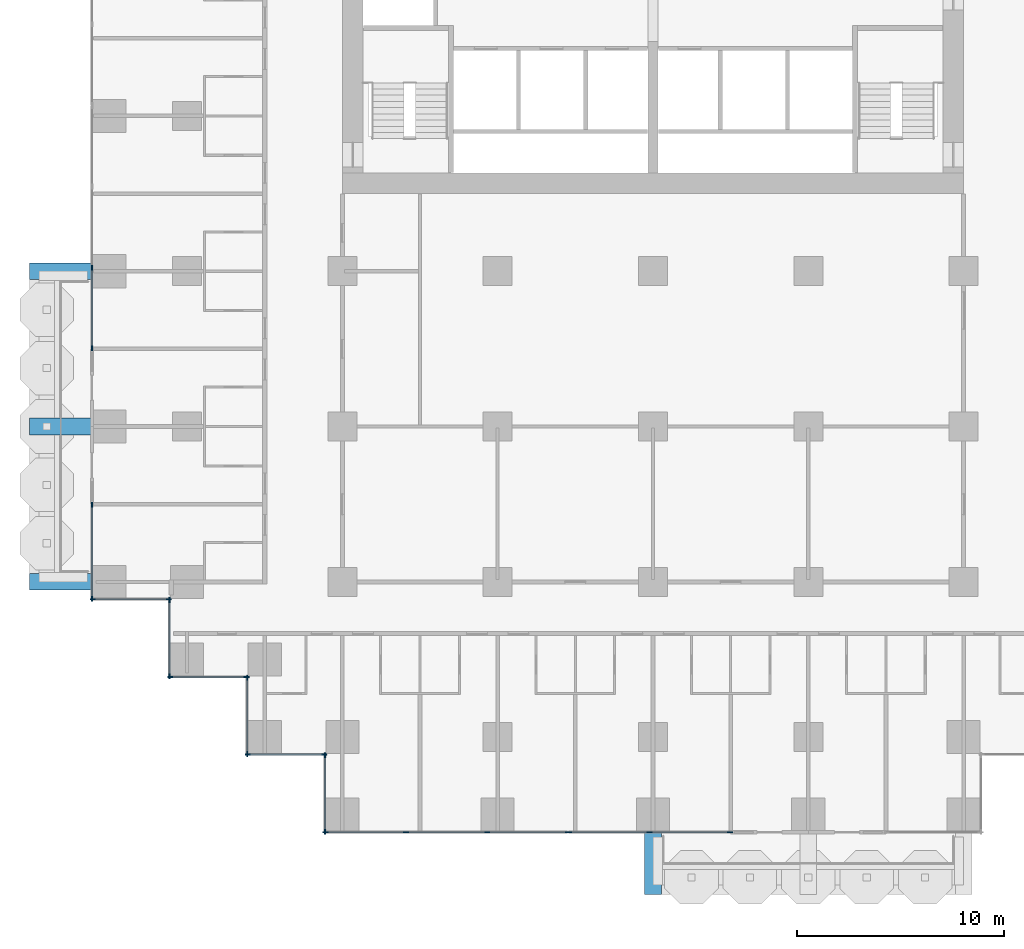
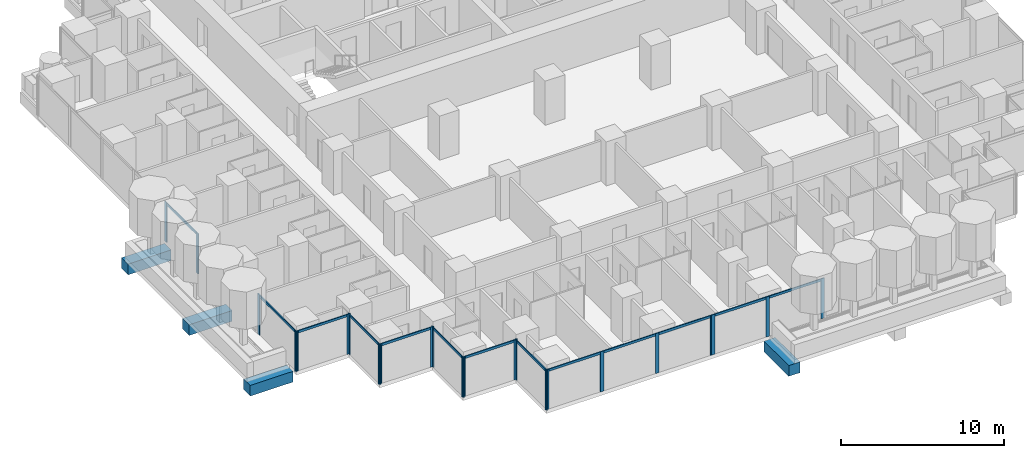
# One storey, part 2 of 19: 36 members, 4 beams, 10 elements without a shape of their own.
"""IFC4 building model written with IfcOpenShell, lengths in metres."""

from ifc_helpers import new_model, si_unit, direction, frame, origin, origin_2d, place, context, subcontext, project, spatial, rectangle, extrude, material, material_profile, profile_set, type_object, element, aggregate, save


model = new_model("IFC4")

# Units and contexts
model_context = context("Model", 3, precision=1e-05, world=origin(), true_north=direction((0.0, 1.0)))
body_context = subcontext(model_context, "Body", "Model", "MODEL_VIEW")
ifc_project = project(units=[si_unit("LENGTHUNIT", "METRE"), si_unit("AREAUNIT", "SQUARE_METRE"), si_unit("VOLUMEUNIT", "CUBIC_METRE"), si_unit("PLANEANGLEUNIT", "RADIAN"), si_unit("MASSUNIT", "GRAM", prefix="KILO")], contexts=[model_context])

# Site, building, storey
site_placement = place(None, origin())
site = spatial("IfcSite", under=ifc_project, at=site_placement, CompositionType="ELEMENT")
building_placement = place(site_placement, origin())
building = spatial("IfcBuilding", under=site, at=building_placement, Name="Pilkhan Gate Tower", CompositionType="ELEMENT")
storey_placement = place(building_placement, frame((0.0, 0.0, 39.5)))
storey = spatial("IfcBuildingStorey", under=building, at=storey_placement, Name="L06", CompositionType="ELEMENT", Elevation=39.5)

# Beams
ifc_material_1 = material(Name="Concrete C50/60", Category="concrete")
ifc_material_profile_1 = material_profile(ifc_material_1, rectangle(XDim=0.800048828125, YDim=0.800048828125, at=origin_2d()), Name="RC 800x800")
ifc_profile_set_1 = profile_set([ifc_material_profile_1], Name="Concrete C50/60")
beam_type = type_object("IfcBeamType", Name="Cantilever beam CB2 RC 800x800 C50/60", PredefinedType="BEAM", material=ifc_profile_set_1)
for number, where, z_axis, x_axis, name in (
    (1, (75.0, 40.449951171875, -0.699951171875), (0.0, -1.0, 0.0), (1.0, 0.0, 0.0), "Balcony beam S.1 L06"),
    (2, (47.949951171875, 52.5, -0.699951171875), (-1.0, 0.0, 0.0), (0.0, -1.0, 0.0), "Balcony beam W.1 L06"),
    (3, (47.949951171875, 60.0, -0.699951171875), (-1.0, 0.0, 0.0), (0.0, -1.0, 0.0), "Balcony beam W.2 L06"),
    (4, (47.949951171875, 67.5, -0.699951171875), (-1.0, 0.0, 0.0), (0.0, -1.0, 0.0), "Balcony beam W.3 L06"),
):
    element("IfcBeam", number, at=place(storey_placement, frame(where, z_axis=z_axis, x_axis=x_axis)), inside=storey, type_object=beam_type, Name=name, PredefinedType="BEAM", context=body_context, shape_type="SweptSolid", body=[
        extrude(rectangle(XDim=0.800048828125, YDim=0.800048828125, at=origin_2d()), origin(), (0.0, 0.0, 1.0), 3.050048828125),
    ])

# Curtain wall, members
ifc_material_2 = material(Name="Pale anodised aluminium, clear low-iron double glazing", Category="aluminium")
curtain_wall_type = type_object("IfcCurtainWallType", Name="Hotel unitised curtain wall CW-H", PredefinedType="USERDEFINED", material=ifc_material_2)
curtain_wall_1_placement = place(storey_placement, origin())
curtain_wall_1 = element("IfcCurtainWall", 5, at=curtain_wall_1_placement, inside=storey, type_object=curtain_wall_type, Name="Hotel unitised curtain wall CW-H L06 W", ObjectType="UNITISED CURTAIN WALL", PredefinedType="USERDEFINED")
ifc_material_3 = material(Name="Pale anodised aluminium", Category="aluminium")
ifc_material_profile_2 = material_profile(ifc_material_3, rectangle(XDim=0.06494140625, YDim=0.25, at=origin_2d()), Name="Mullion 250x65")
ifc_profile_set_2 = profile_set([ifc_material_profile_2], Name="Pale anodised aluminium")
member_type_1 = type_object("IfcMemberType", Name="Mullion CW-H 250x65", PredefinedType="MULLION", material=ifc_profile_set_2)
member_1_placement = place(storey_placement, frame((47.905029296875, 51.6875, 0.0), z_axis=(0.0, 0.0, 1.0), x_axis=(-1.0, 0.0, 0.0)))
member_1 = element("IfcMember", 6, at=member_1_placement, type_object=member_type_1, Name="CW-H mullion 1", PredefinedType="MULLION", context=body_context, shape_type="SweptSolid", body=[
    extrude(rectangle(XDim=0.06494140625, YDim=0.25, at=origin_2d()), origin(), (0.0, 0.0, 1.0), 3.0),
])
member_2_placement = place(storey_placement, frame((47.905029296875, 56.217529296875, 0.0), z_axis=(0.0, 0.0, 1.0), x_axis=(-1.0, 0.0, 0.0)))
member_2 = element("IfcMember", 7, at=member_2_placement, type_object=member_type_1, Name="CW-H mullion 2", PredefinedType="MULLION", context=body_context, shape_type="SweptSolid", body=[
    extrude(rectangle(XDim=0.06494140625, YDim=0.25, at=origin_2d()), origin(), (0.0, 0.0, 1.0), 3.0),
])

curtain_wall_2_placement = place(storey_placement, origin())
curtain_wall_2 = element("IfcCurtainWall", 8, at=curtain_wall_2_placement, inside=storey, type_object=curtain_wall_type, Name="Hotel unitised curtain wall CW-H L06 W", ObjectType="UNITISED CURTAIN WALL", PredefinedType="USERDEFINED")
member_3_placement = place(storey_placement, frame((47.905029296875, 63.782470703125, 0.0), z_axis=(0.0, 0.0, 1.0), x_axis=(-1.0, 0.0, 0.0)))
member_3 = element("IfcMember", 9, at=member_3_placement, type_object=member_type_1, Name="CW-H mullion 1", PredefinedType="MULLION", context=body_context, shape_type="SweptSolid", body=[
    extrude(rectangle(XDim=0.06494140625, YDim=0.25, at=origin_2d()), origin(), (0.0, 0.0, 1.0), 3.0),
])
member_4_placement = place(storey_placement, frame((47.905029296875, 67.6689453125, 0.0), z_axis=(0.0, 0.0, 1.0), x_axis=(-1.0, 0.0, 0.0)))
member_4 = element("IfcMember", 10, at=member_4_placement, type_object=member_type_1, Name="CW-H mullion 2", PredefinedType="MULLION", context=body_context, shape_type="SweptSolid", body=[
    extrude(rectangle(XDim=0.06494140625, YDim=0.25, at=origin_2d()), origin(), (0.0, 0.0, 1.0), 3.0),
])

curtain_wall_3_placement = place(storey_placement, origin())
curtain_wall_3 = element("IfcCurtainWall", 11, at=curtain_wall_3_placement, inside=storey, type_object=curtain_wall_type, Name="Hotel unitised curtain wall CW-H L06 S", ObjectType="UNITISED CURTAIN WALL", PredefinedType="USERDEFINED")
member_5_placement = place(storey_placement, frame((47.9375, 51.655029296875, 0.0), z_axis=(0.0, 0.0, 1.0), x_axis=(0.0, 1.0, 0.0)))
member_5 = element("IfcMember", 12, at=member_5_placement, type_object=member_type_1, Name="CW-H mullion 1", PredefinedType="MULLION", context=body_context, shape_type="SweptSolid", body=[
    extrude(rectangle(XDim=0.06494140625, YDim=0.25, at=origin_2d()), origin(), (0.0, 0.0, 1.0), 3.0),
])
member_6_placement = place(storey_placement, frame((51.62255859375, 51.655029296875, 0.0), z_axis=(0.0, 0.0, 1.0), x_axis=(0.0, 1.0, 0.0)))
member_6 = element("IfcMember", 13, at=member_6_placement, type_object=member_type_1, Name="CW-H mullion 2", PredefinedType="MULLION", context=body_context, shape_type="SweptSolid", body=[
    extrude(rectangle(XDim=0.06494140625, YDim=0.25, at=origin_2d()), origin(), (0.0, 0.0, 1.0), 3.0),
])

curtain_wall_4_placement = place(storey_placement, origin())
curtain_wall_4 = element("IfcCurtainWall", 14, at=curtain_wall_4_placement, inside=storey, type_object=curtain_wall_type, Name="Hotel unitised curtain wall CW-H L06 W", ObjectType="UNITISED CURTAIN WALL", PredefinedType="USERDEFINED")
member_7_placement = place(storey_placement, frame((51.655029296875, 47.9375, 0.0), z_axis=(0.0, 0.0, 1.0), x_axis=(-1.0, 0.0, 0.0)))
member_7 = element("IfcMember", 15, at=member_7_placement, type_object=member_type_1, Name="CW-H mullion 1", PredefinedType="MULLION", context=body_context, shape_type="SweptSolid", body=[
    extrude(rectangle(XDim=0.06494140625, YDim=0.25, at=origin_2d()), origin(), (0.0, 0.0, 1.0), 3.0),
])
member_8_placement = place(storey_placement, frame((51.655029296875, 51.62255859375, 0.0), z_axis=(0.0, 0.0, 1.0), x_axis=(-1.0, 0.0, 0.0)))
member_8 = element("IfcMember", 16, at=member_8_placement, type_object=member_type_1, Name="CW-H mullion 2", PredefinedType="MULLION", context=body_context, shape_type="SweptSolid", body=[
    extrude(rectangle(XDim=0.06494140625, YDim=0.25, at=origin_2d()), origin(), (0.0, 0.0, 1.0), 3.0),
])

curtain_wall_5_placement = place(storey_placement, origin())
curtain_wall_5 = element("IfcCurtainWall", 17, at=curtain_wall_5_placement, inside=storey, type_object=curtain_wall_type, Name="Hotel unitised curtain wall CW-H L06 S", ObjectType="UNITISED CURTAIN WALL", PredefinedType="USERDEFINED")
member_9_placement = place(storey_placement, frame((51.6875, 47.905029296875, 0.0), z_axis=(0.0, 0.0, 1.0), x_axis=(0.0, 1.0, 0.0)))
member_9 = element("IfcMember", 18, at=member_9_placement, type_object=member_type_1, Name="CW-H mullion 1", PredefinedType="MULLION", context=body_context, shape_type="SweptSolid", body=[
    extrude(rectangle(XDim=0.06494140625, YDim=0.25, at=origin_2d()), origin(), (0.0, 0.0, 1.0), 3.0),
])
member_10_placement = place(storey_placement, frame((55.37255859375, 47.905029296875, 0.0), z_axis=(0.0, 0.0, 1.0), x_axis=(0.0, 1.0, 0.0)))
member_10 = element("IfcMember", 19, at=member_10_placement, type_object=member_type_1, Name="CW-H mullion 2", PredefinedType="MULLION", context=body_context, shape_type="SweptSolid", body=[
    extrude(rectangle(XDim=0.06494140625, YDim=0.25, at=origin_2d()), origin(), (0.0, 0.0, 1.0), 3.0),
])

curtain_wall_6_placement = place(storey_placement, origin())
curtain_wall_6 = element("IfcCurtainWall", 20, at=curtain_wall_6_placement, inside=storey, type_object=curtain_wall_type, Name="Hotel unitised curtain wall CW-H L06 W", ObjectType="UNITISED CURTAIN WALL", PredefinedType="USERDEFINED")
member_11_placement = place(storey_placement, frame((55.405029296875, 44.1875, 0.0), z_axis=(0.0, 0.0, 1.0), x_axis=(-1.0, 0.0, 0.0)))
member_11 = element("IfcMember", 21, at=member_11_placement, type_object=member_type_1, Name="CW-H mullion 1", PredefinedType="MULLION", context=body_context, shape_type="SweptSolid", body=[
    extrude(rectangle(XDim=0.06494140625, YDim=0.25, at=origin_2d()), origin(), (0.0, 0.0, 1.0), 3.0),
])
member_12_placement = place(storey_placement, frame((55.405029296875, 47.87255859375, 0.0), z_axis=(0.0, 0.0, 1.0), x_axis=(-1.0, 0.0, 0.0)))
member_12 = element("IfcMember", 22, at=member_12_placement, type_object=member_type_1, Name="CW-H mullion 2", PredefinedType="MULLION", context=body_context, shape_type="SweptSolid", body=[
    extrude(rectangle(XDim=0.06494140625, YDim=0.25, at=origin_2d()), origin(), (0.0, 0.0, 1.0), 3.0),
])

curtain_wall_7_placement = place(storey_placement, origin())
curtain_wall_7 = element("IfcCurtainWall", 23, at=curtain_wall_7_placement, inside=storey, type_object=curtain_wall_type, Name="Hotel unitised curtain wall CW-H L06 S", ObjectType="UNITISED CURTAIN WALL", PredefinedType="USERDEFINED")
member_13_placement = place(storey_placement, frame((55.4375, 44.155029296875, 0.0), z_axis=(0.0, 0.0, 1.0), x_axis=(0.0, 1.0, 0.0)))
member_13 = element("IfcMember", 24, at=member_13_placement, type_object=member_type_1, Name="CW-H mullion 1", PredefinedType="MULLION", context=body_context, shape_type="SweptSolid", body=[
    extrude(rectangle(XDim=0.06494140625, YDim=0.25, at=origin_2d()), origin(), (0.0, 0.0, 1.0), 3.0),
])
member_14_placement = place(storey_placement, frame((59.12255859375, 44.155029296875, 0.0), z_axis=(0.0, 0.0, 1.0), x_axis=(0.0, 1.0, 0.0)))
member_14 = element("IfcMember", 25, at=member_14_placement, type_object=member_type_1, Name="CW-H mullion 2", PredefinedType="MULLION", context=body_context, shape_type="SweptSolid", body=[
    extrude(rectangle(XDim=0.06494140625, YDim=0.25, at=origin_2d()), origin(), (0.0, 0.0, 1.0), 3.0),
])

curtain_wall_8_placement = place(storey_placement, origin())
curtain_wall_8 = element("IfcCurtainWall", 26, at=curtain_wall_8_placement, inside=storey, type_object=curtain_wall_type, Name="Hotel unitised curtain wall CW-H L06 W", ObjectType="UNITISED CURTAIN WALL", PredefinedType="USERDEFINED")
member_15_placement = place(storey_placement, frame((59.155029296875, 40.4375, 0.0), z_axis=(0.0, 0.0, 1.0), x_axis=(-1.0, 0.0, 0.0)))
member_15 = element("IfcMember", 27, at=member_15_placement, type_object=member_type_1, Name="CW-H mullion 1", PredefinedType="MULLION", context=body_context, shape_type="SweptSolid", body=[
    extrude(rectangle(XDim=0.06494140625, YDim=0.25, at=origin_2d()), origin(), (0.0, 0.0, 1.0), 3.0),
])
member_16_placement = place(storey_placement, frame((59.155029296875, 44.12255859375, 0.0), z_axis=(0.0, 0.0, 1.0), x_axis=(-1.0, 0.0, 0.0)))
member_16 = element("IfcMember", 28, at=member_16_placement, type_object=member_type_1, Name="CW-H mullion 2", PredefinedType="MULLION", context=body_context, shape_type="SweptSolid", body=[
    extrude(rectangle(XDim=0.06494140625, YDim=0.25, at=origin_2d()), origin(), (0.0, 0.0, 1.0), 3.0),
])

curtain_wall_9_placement = place(storey_placement, origin())
curtain_wall_9 = element("IfcCurtainWall", 29, at=curtain_wall_9_placement, inside=storey, type_object=curtain_wall_type, Name="Hotel unitised curtain wall CW-H L06 S", ObjectType="UNITISED CURTAIN WALL", PredefinedType="USERDEFINED")
member_17_placement = place(storey_placement, frame((59.1875, 40.405029296875, 0.0), z_axis=(0.0, 0.0, 1.0), x_axis=(0.0, 1.0, 0.0)))
member_17 = element("IfcMember", 30, at=member_17_placement, type_object=member_type_1, Name="CW-H mullion 1", PredefinedType="MULLION", context=body_context, shape_type="SweptSolid", body=[
    extrude(rectangle(XDim=0.06494140625, YDim=0.25, at=origin_2d()), origin(), (0.0, 0.0, 1.0), 3.0),
])
member_18_placement = place(storey_placement, frame((63.073974609375, 40.405029296875, 0.0), z_axis=(0.0, 0.0, 1.0), x_axis=(0.0, 1.0, 0.0)))
member_18 = element("IfcMember", 31, at=member_18_placement, type_object=member_type_1, Name="CW-H mullion 2", PredefinedType="MULLION", context=body_context, shape_type="SweptSolid", body=[
    extrude(rectangle(XDim=0.06494140625, YDim=0.25, at=origin_2d()), origin(), (0.0, 0.0, 1.0), 3.0),
])
member_19_placement = place(storey_placement, frame((66.992919921875, 40.405029296875, 0.0), z_axis=(0.0, 0.0, 1.0), x_axis=(0.0, 1.0, 0.0)))
member_19 = element("IfcMember", 32, at=member_19_placement, type_object=member_type_1, Name="CW-H mullion 3", PredefinedType="MULLION", context=body_context, shape_type="SweptSolid", body=[
    extrude(rectangle(XDim=0.06494140625, YDim=0.25, at=origin_2d()), origin(), (0.0, 0.0, 1.0), 3.0),
])
member_20_placement = place(storey_placement, frame((70.87939453125, 40.405029296875, 0.0), z_axis=(0.0, 0.0, 1.0), x_axis=(0.0, 1.0, 0.0)))
member_20 = element("IfcMember", 33, at=member_20_placement, type_object=member_type_1, Name="CW-H mullion 4", PredefinedType="MULLION", context=body_context, shape_type="SweptSolid", body=[
    extrude(rectangle(XDim=0.06494140625, YDim=0.25, at=origin_2d()), origin(), (0.0, 0.0, 1.0), 3.0),
])

curtain_wall_10_placement = place(storey_placement, origin())
curtain_wall_10 = element("IfcCurtainWall", 34, at=curtain_wall_10_placement, inside=storey, type_object=curtain_wall_type, Name="Hotel unitised curtain wall CW-H L06 S", ObjectType="UNITISED CURTAIN WALL", PredefinedType="USERDEFINED")
member_21_placement = place(storey_placement, frame((70.944580078125, 40.405029296875, 0.0), z_axis=(0.0, 0.0, 1.0), x_axis=(0.0, 1.0, 0.0)))
member_21 = element("IfcMember", 35, at=member_21_placement, type_object=member_type_1, Name="CW-H mullion 1", PredefinedType="MULLION", context=body_context, shape_type="SweptSolid", body=[
    extrude(rectangle(XDim=0.06494140625, YDim=0.25, at=origin_2d()), origin(), (0.0, 0.0, 1.0), 3.0),
])
member_22_placement = place(storey_placement, frame((74.8310546875, 40.405029296875, 0.0), z_axis=(0.0, 0.0, 1.0), x_axis=(0.0, 1.0, 0.0)))
member_22 = element("IfcMember", 36, at=member_22_placement, type_object=member_type_1, Name="CW-H mullion 2", PredefinedType="MULLION", context=body_context, shape_type="SweptSolid", body=[
    extrude(rectangle(XDim=0.06494140625, YDim=0.25, at=origin_2d()), origin(), (0.0, 0.0, 1.0), 3.0),
])
member_23_placement = place(storey_placement, frame((78.717529296875, 40.405029296875, 0.0), z_axis=(0.0, 0.0, 1.0), x_axis=(0.0, 1.0, 0.0)))
member_23 = element("IfcMember", 37, at=member_23_placement, type_object=member_type_1, Name="CW-H mullion 3", PredefinedType="MULLION", context=body_context, shape_type="SweptSolid", body=[
    extrude(rectangle(XDim=0.06494140625, YDim=0.25, at=origin_2d()), origin(), (0.0, 0.0, 1.0), 3.0),
])

# Member
ifc_material_profile_3 = material_profile(ifc_material_3, rectangle(XDim=0.06494140625, YDim=0.179931640625, at=origin_2d()), Name="Transom 180x65")
ifc_profile_set_3 = profile_set([ifc_material_profile_3], Name="Pale anodised aluminium")
member_type_2 = type_object("IfcMemberType", Name="Transom CW-H 180x65", PredefinedType="USERDEFINED", material=ifc_profile_set_3)
member_24_placement = place(storey_placement, frame((47.905029296875, 51.719970703125, 2.909912109375), z_axis=(0.0, 1.0, 0.0), x_axis=(-1.0, 0.0, 0.0)))
member_24 = element("IfcMember", 38, at=member_24_placement, type_object=member_type_2, Name="CW-H transom 1", ObjectType="TRANSOM", PredefinedType="USERDEFINED", context=body_context, shape_type="SweptSolid", body=[
    extrude(rectangle(XDim=0.06494140625, YDim=0.179931640625, at=origin_2d()), origin(), (0.0, 0.0, 1.0), 4.465087890625),
])

aggregate(curtain_wall_1, [member_1, member_2, member_24])

member_25_placement = place(storey_placement, frame((47.905029296875, 63.81494140625, 2.909912109375), z_axis=(0.0, 1.0, 0.0), x_axis=(-1.0, 0.0, 0.0)))
member_25 = element("IfcMember", 39, at=member_25_placement, type_object=member_type_2, Name="CW-H transom 1", ObjectType="TRANSOM", PredefinedType="USERDEFINED", context=body_context, shape_type="SweptSolid", body=[
    extrude(rectangle(XDim=0.06494140625, YDim=0.179931640625, at=origin_2d()), origin(), (0.0, 0.0, 1.0), 3.821533203125),
])

aggregate(curtain_wall_2, [member_3, member_4, member_25])

member_26_placement = place(storey_placement, frame((47.969970703125, 51.655029296875, 2.909912109375), z_axis=(1.0, 0.0, 0.0), x_axis=(0.0, 1.0, 0.0)))
member_26 = element("IfcMember", 40, at=member_26_placement, type_object=member_type_2, Name="CW-H transom 1", ObjectType="TRANSOM", PredefinedType="USERDEFINED", context=body_context, shape_type="SweptSolid", body=[
    extrude(rectangle(XDim=0.06494140625, YDim=0.179931640625, at=origin_2d()), origin(), (0.0, 0.0, 1.0), 3.6201171875),
])

aggregate(curtain_wall_3, [member_5, member_6, member_26])

member_27_placement = place(storey_placement, frame((51.655029296875, 47.969970703125, 2.909912109375), z_axis=(0.0, 1.0, 0.0), x_axis=(-1.0, 0.0, 0.0)))
member_27 = element("IfcMember", 41, at=member_27_placement, type_object=member_type_2, Name="CW-H transom 1", ObjectType="TRANSOM", PredefinedType="USERDEFINED", context=body_context, shape_type="SweptSolid", body=[
    extrude(rectangle(XDim=0.06494140625, YDim=0.179931640625, at=origin_2d()), origin(), (0.0, 0.0, 1.0), 3.6201171875),
])

aggregate(curtain_wall_4, [member_7, member_8, member_27])

member_28_placement = place(storey_placement, frame((51.719970703125, 47.905029296875, 2.909912109375), z_axis=(1.0, 0.0, 0.0), x_axis=(0.0, 1.0, 0.0)))
member_28 = element("IfcMember", 42, at=member_28_placement, type_object=member_type_2, Name="CW-H transom 1", ObjectType="TRANSOM", PredefinedType="USERDEFINED", context=body_context, shape_type="SweptSolid", body=[
    extrude(rectangle(XDim=0.06494140625, YDim=0.179931640625, at=origin_2d()), origin(), (0.0, 0.0, 1.0), 3.6201171875),
])

aggregate(curtain_wall_5, [member_9, member_10, member_28])

member_29_placement = place(storey_placement, frame((55.405029296875, 44.219970703125, 2.909912109375), z_axis=(0.0, 1.0, 0.0), x_axis=(-1.0, 0.0, 0.0)))
member_29 = element("IfcMember", 43, at=member_29_placement, type_object=member_type_2, Name="CW-H transom 1", ObjectType="TRANSOM", PredefinedType="USERDEFINED", context=body_context, shape_type="SweptSolid", body=[
    extrude(rectangle(XDim=0.06494140625, YDim=0.179931640625, at=origin_2d()), origin(), (0.0, 0.0, 1.0), 3.6201171875),
])

aggregate(curtain_wall_6, [member_11, member_12, member_29])

member_30_placement = place(storey_placement, frame((55.469970703125, 44.155029296875, 2.909912109375), z_axis=(1.0, 0.0, 0.0), x_axis=(0.0, 1.0, 0.0)))
member_30 = element("IfcMember", 44, at=member_30_placement, type_object=member_type_2, Name="CW-H transom 1", ObjectType="TRANSOM", PredefinedType="USERDEFINED", context=body_context, shape_type="SweptSolid", body=[
    extrude(rectangle(XDim=0.06494140625, YDim=0.179931640625, at=origin_2d()), origin(), (0.0, 0.0, 1.0), 3.6201171875),
])

aggregate(curtain_wall_7, [member_13, member_14, member_30])

member_31_placement = place(storey_placement, frame((59.155029296875, 40.469970703125, 2.909912109375), z_axis=(0.0, 1.0, 0.0), x_axis=(-1.0, 0.0, 0.0)))
member_31 = element("IfcMember", 45, at=member_31_placement, type_object=member_type_2, Name="CW-H transom 1", ObjectType="TRANSOM", PredefinedType="USERDEFINED", context=body_context, shape_type="SweptSolid", body=[
    extrude(rectangle(XDim=0.06494140625, YDim=0.179931640625, at=origin_2d()), origin(), (0.0, 0.0, 1.0), 3.6201171875),
])

aggregate(curtain_wall_8, [member_15, member_16, member_31])

member_32_placement = place(storey_placement, frame((59.219970703125, 40.405029296875, 2.909912109375), z_axis=(1.0, 0.0, 0.0), x_axis=(0.0, 1.0, 0.0)))
member_32 = element("IfcMember", 46, at=member_32_placement, type_object=member_type_2, Name="CW-H transom 1", ObjectType="TRANSOM", PredefinedType="USERDEFINED", context=body_context, shape_type="SweptSolid", body=[
    extrude(rectangle(XDim=0.06494140625, YDim=0.179931640625, at=origin_2d()), origin(), (0.0, 0.0, 1.0), 3.821533203125),
])

member_33_placement = place(storey_placement, frame((63.1064453125, 40.405029296875, 2.909912109375), z_axis=(1.0, 0.0, 0.0), x_axis=(0.0, 1.0, 0.0)))
member_33 = element("IfcMember", 47, at=member_33_placement, type_object=member_type_2, Name="CW-H transom 2", ObjectType="TRANSOM", PredefinedType="USERDEFINED", context=body_context, shape_type="SweptSolid", body=[
    extrude(rectangle(XDim=0.06494140625, YDim=0.179931640625, at=origin_2d()), origin(), (0.0, 0.0, 1.0), 3.85400390625),
])

member_34_placement = place(storey_placement, frame((67.025390625, 40.405029296875, 2.909912109375), z_axis=(1.0, 0.0, 0.0), x_axis=(0.0, 1.0, 0.0)))
member_34 = element("IfcMember", 48, at=member_34_placement, type_object=member_type_2, Name="CW-H transom 3", ObjectType="TRANSOM", PredefinedType="USERDEFINED", context=body_context, shape_type="SweptSolid", body=[
    extrude(rectangle(XDim=0.06494140625, YDim=0.179931640625, at=origin_2d()), origin(), (0.0, 0.0, 1.0), 3.821533203125),
])

aggregate(curtain_wall_9, [member_17, member_18, member_19, member_20, member_32, member_33, member_34])

member_35_placement = place(storey_placement, frame((70.97705078125, 40.405029296875, 2.909912109375), z_axis=(1.0, 0.0, 0.0), x_axis=(0.0, 1.0, 0.0)))
member_35 = element("IfcMember", 49, at=member_35_placement, type_object=member_type_2, Name="CW-H transom 1", ObjectType="TRANSOM", PredefinedType="USERDEFINED", context=body_context, shape_type="SweptSolid", body=[
    extrude(rectangle(XDim=0.06494140625, YDim=0.179931640625, at=origin_2d()), origin(), (0.0, 0.0, 1.0), 3.821533203125),
])

member_36_placement = place(storey_placement, frame((74.863525390625, 40.405029296875, 2.909912109375), z_axis=(1.0, 0.0, 0.0), x_axis=(0.0, 1.0, 0.0)))
member_36 = element("IfcMember", 50, at=member_36_placement, type_object=member_type_2, Name="CW-H transom 2", ObjectType="TRANSOM", PredefinedType="USERDEFINED", context=body_context, shape_type="SweptSolid", body=[
    extrude(rectangle(XDim=0.06494140625, YDim=0.179931640625, at=origin_2d()), origin(), (0.0, 0.0, 1.0), 3.821533203125),
])

aggregate(curtain_wall_10, [member_21, member_22, member_23, member_35, member_36])

save(model, "model.ifc")
